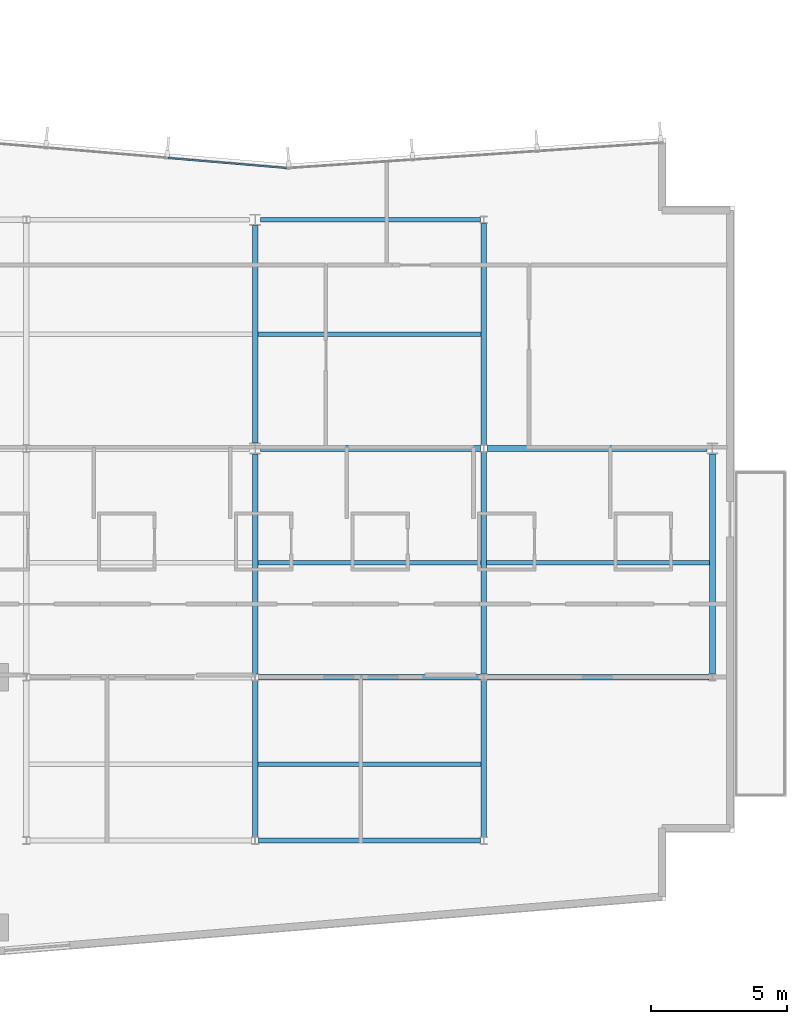
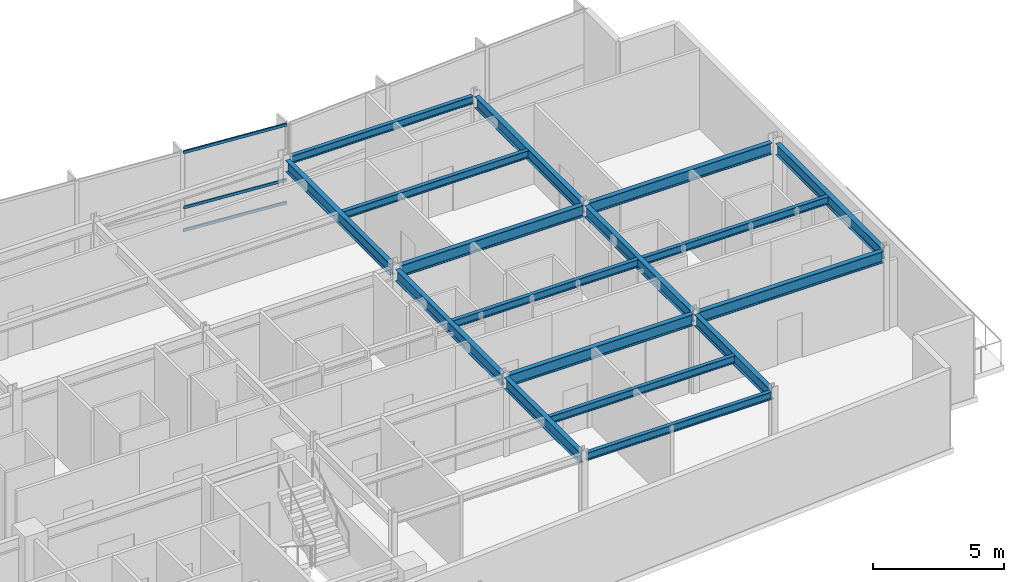
# One storey, part 6 of 15: 17 beams, 3 members, 1 element without a shape of its own.
"""IFC4 building model written with IfcOpenShell, lengths in metres."""

from ifc_helpers import new_model, si_unit, direction, frame, origin, origin_2d, place, context, subcontext, project, spatial, hollow_rectangle, i_section, extrude, material, layer, layer_set, material_profile, profile_set, type_object, element, aggregate, save


model = new_model("IFC4")

# Units and contexts
model_context = context("Model", 3, precision=1e-05, world=origin(), true_north=direction((0.0, 1.0)))
body_context = subcontext(model_context, "Body", "Model", "MODEL_VIEW")
ifc_project = project(units=[si_unit("LENGTHUNIT", "METRE"), si_unit("AREAUNIT", "SQUARE_METRE"), si_unit("VOLUMEUNIT", "CUBIC_METRE"), si_unit("PLANEANGLEUNIT", "RADIAN"), si_unit("MASSUNIT", "GRAM", prefix="KILO")], contexts=[model_context])

# Site, building, storey
site_placement = place(None, origin())
site = spatial("IfcSite", under=ifc_project, at=site_placement, CompositionType="ELEMENT")
building_placement = place(site_placement, origin())
building = spatial("IfcBuilding", under=site, at=building_placement, Name="Varnakote Quay Hospital", CompositionType="ELEMENT")
storey_placement = place(building_placement, frame((0.0, 0.0, 192.10009765625)))
storey = spatial("IfcBuildingStorey", under=building, at=storey_placement, Name="L47", CompositionType="ELEMENT", Elevation=192.10009765625)

# Beams
ifc_material_1 = material(Name="Structural steel AS/NZS 3679.1 Grade 350 L0 (fy 340 MPa)", Category="steel")
ifc_material_profile_1 = material_profile(ifc_material_1, i_section(OverallWidth=0.208984375, OverallDepth=0.532958984375, WebThickness=0.01025390625, FlangeThickness=0.015625, FilletRadius=0.013916015625, at=origin_2d()), Name="530UB92.4")
ifc_profile_set_1 = profile_set([ifc_material_profile_1], Name="Structural steel AS/NZS 3679.1 Grade 350 L0 (fy 340 MPa)")
beam_type_1 = type_object("IfcBeamType", Name="BM-STL-530UB92-4", PredefinedType="BEAM", material=ifc_profile_set_1)
for number, where, z_axis, x_axis, name in (
    (1, (33.72802734375, 12.0, 3.443359375), (1.0, 0.0, 0.0), (0.0, 1.0, 0.0), "L47 Primary Floor Beam"),
    (2, (42.1279296875, 12.0, 3.443359375), (1.0, 0.0, 0.0), (0.0, 1.0, 0.0), "L47 Primary Floor Beam"),
):
    element("IfcBeam", number, at=place(storey_placement, frame(where, z_axis=z_axis, x_axis=x_axis)), inside=storey, type_object=beam_type_1, Name=name, PredefinedType="BEAM", context=body_context, shape_type="SweptSolid", body=[
        extrude(i_section(OverallWidth=0.208984375, OverallDepth=0.532958984375, WebThickness=0.01025390625, FlangeThickness=0.015625, FilletRadius=0.013916015625, at=origin_2d()), origin(), (0.0, 0.0, 1.0), 8.14404296875),
    ])
for number, where, z_axis, x_axis, name in (
    (3, (33.800048828125, 20.39990234375, 3.443359375), (1.0, 0.0, 0.0), (0.0, 1.0, 0.0), "L47 Primary Floor Beam"),
    (4, (42.1279296875, 20.39990234375, 3.443359375), (1.0, 0.0, 0.0), (0.0, 1.0, 0.0), "L47 Primary Floor Beam"),
):
    element("IfcBeam", number, at=place(storey_placement, frame(where, z_axis=z_axis, x_axis=x_axis)), inside=storey, type_object=beam_type_1, Name=name, PredefinedType="BEAM", context=body_context, shape_type="SweptSolid", body=[
        extrude(i_section(OverallWidth=0.208984375, OverallDepth=0.532958984375, WebThickness=0.01025390625, FlangeThickness=0.015625, FilletRadius=0.013916015625, at=origin_2d()), origin(), (0.0, 0.0, 1.0), 8.072021484375),
    ])
beam_1_placement = place(storey_placement, frame((33.60009765625, 6.1298828125, 3.443359375), z_axis=(0.0, 1.0, 0.0), x_axis=(-1.0, 0.0, 0.0)))
element("IfcBeam", 5, at=beam_1_placement, inside=storey, type_object=beam_type_1, Name="L47 Primary Tie Beam", PredefinedType="BEAM", context=body_context, shape_type="SweptSolid", body=[
    extrude(i_section(OverallWidth=0.208984375, OverallDepth=0.532958984375, WebThickness=0.01025390625, FlangeThickness=0.015625, FilletRadius=0.013916015625, at=origin_2d()), origin(), (0.0, 0.0, 1.0), 5.740234375),
])
beam_2_placement = place(storey_placement, frame((33.60009765625, 12.1298828125, 3.443359375), z_axis=(0.0, 1.0, 0.0), x_axis=(-1.0, 0.0, 0.0)))
element("IfcBeam", 6, at=beam_2_placement, inside=storey, type_object=beam_type_1, Name="L47 Primary Tie Beam", PredefinedType="BEAM", context=body_context, shape_type="SweptSolid", body=[
    extrude(i_section(OverallWidth=0.208984375, OverallDepth=0.532958984375, WebThickness=0.01025390625, FlangeThickness=0.015625, FilletRadius=0.013916015625, at=origin_2d()), origin(), (0.0, 0.0, 1.0), 8.068115234375),
])
beam_3_placement = place(storey_placement, frame((33.60009765625, 20.60205078125, 3.443359375), z_axis=(0.0, 1.0, 0.0), x_axis=(-1.0, 0.0, 0.0)))
element("IfcBeam", 7, at=beam_3_placement, inside=storey, type_object=beam_type_1, Name="L47 Primary Tie Beam", PredefinedType="BEAM", context=body_context, shape_type="SweptSolid", body=[
    extrude(i_section(OverallWidth=0.208984375, OverallDepth=0.532958984375, WebThickness=0.01025390625, FlangeThickness=0.015625, FilletRadius=0.013916015625, at=origin_2d()), origin(), (0.0, 0.0, 1.0), 7.995849609375),
])
beam_4_placement = place(storey_placement, frame((42.0, 6.1298828125, 3.443359375), z_axis=(0.0, 1.0, 0.0), x_axis=(-1.0, 0.0, 0.0)))
element("IfcBeam", 8, at=beam_4_placement, inside=storey, type_object=beam_type_1, Name="L47 Primary Tie Beam", PredefinedType="BEAM", context=body_context, shape_type="SweptSolid", body=[
    extrude(i_section(OverallWidth=0.208984375, OverallDepth=0.532958984375, WebThickness=0.01025390625, FlangeThickness=0.015625, FilletRadius=0.013916015625, at=origin_2d()), origin(), (0.0, 0.0, 1.0), 5.740234375),
])
beam_5_placement = place(storey_placement, frame((42.0, 12.1298828125, 3.443359375), z_axis=(0.0, 1.0, 0.0), x_axis=(-1.0, 0.0, 0.0)))
element("IfcBeam", 9, at=beam_5_placement, inside=storey, type_object=beam_type_1, Name="L47 Primary Tie Beam", PredefinedType="BEAM", context=body_context, shape_type="SweptSolid", body=[
    extrude(i_section(OverallWidth=0.208984375, OverallDepth=0.532958984375, WebThickness=0.01025390625, FlangeThickness=0.015625, FilletRadius=0.013916015625, at=origin_2d()), origin(), (0.0, 0.0, 1.0), 8.14013671875),
])
beam_6_placement = place(storey_placement, frame((42.0, 20.530029296875, 3.443359375), z_axis=(0.0, 1.0, 0.0), x_axis=(-1.0, 0.0, 0.0)))
element("IfcBeam", 10, at=beam_6_placement, inside=storey, type_object=beam_type_1, Name="L47 Primary Tie Beam", PredefinedType="BEAM", context=body_context, shape_type="SweptSolid", body=[
    extrude(i_section(OverallWidth=0.208984375, OverallDepth=0.532958984375, WebThickness=0.01025390625, FlangeThickness=0.015625, FilletRadius=0.013916015625, at=origin_2d()), origin(), (0.0, 0.0, 1.0), 8.139892578125),
])
beam_7_placement = place(storey_placement, frame((50.39990234375, 12.1298828125, 3.443359375), z_axis=(0.0, 1.0, 0.0), x_axis=(-1.0, 0.0, 0.0)))
element("IfcBeam", 11, at=beam_7_placement, inside=storey, type_object=beam_type_1, Name="L47 Primary Tie Beam", PredefinedType="BEAM", context=body_context, shape_type="SweptSolid", body=[
    extrude(i_section(OverallWidth=0.208984375, OverallDepth=0.532958984375, WebThickness=0.01025390625, FlangeThickness=0.015625, FilletRadius=0.013916015625, at=origin_2d()), origin(), (0.0, 0.0, 1.0), 8.068115234375),
])

# Curtain wall, members
ifc_material_2 = material(Name="Anodised aluminium 6063-T6 Bronze", Category="aluminium")
ifc_layer = layer(ifc_material_2, 0.219970703125)
ifc_layer_set = layer_set([ifc_layer], Name="Anodised aluminium 6063-T6 Bronze")
curtain_wall_type = type_object("IfcCurtainWallType", Name="CW-SYS-4", PredefinedType="NOTDEFINED", material=ifc_layer_set)
curtain_wall_placement = place(storey_placement, origin())
curtain_wall = element("IfcCurtainWall", 12, at=curtain_wall_placement, inside=storey, type_object=curtain_wall_type, Name="L47 Unitised Bronze Curtain Wall 2", PredefinedType="NOTDEFINED")
ifc_material_3 = material(Name="Anodised aluminium 6063-T6 Bronze", Category="aluminium")
ifc_material_profile_2 = material_profile(ifc_material_3, hollow_rectangle(XDim=0.06494140625, YDim=0.139892578125, WallThickness=0.00390625, InnerFilletRadius=0.00390625, OuterFilletRadius=0.007568359375, at=origin_2d()), Name="CW-TRAN-140x65")
ifc_profile_set_2 = profile_set([ifc_material_profile_2], Name="Anodised aluminium 6063-T6 Bronze")
member_type = type_object("IfcMemberType", Name="CW-TRAN-140x65", PredefinedType="USERDEFINED", material=ifc_profile_set_2)
member_1_placement = place(storey_placement, frame((34.75, 30.700927734375, 0.032470703125), z_axis=(-0.996453440464, 0.084145950507, 0.0), x_axis=(-0.084145950507, -0.996453440464, 0.0)))
member_1 = element("IfcMember", 13, at=member_1_placement, type_object=member_type, Name="-4-L47-2 transom 1.1", ObjectType="TRANSOM", PredefinedType="USERDEFINED", context=body_context, shape_type="SweptSolid", body=[
    extrude(hollow_rectangle(XDim=0.06494140625, YDim=0.139892578125, WallThickness=0.00390625, InnerFilletRadius=0.00390625, OuterFilletRadius=0.007568359375, at=origin_2d()), origin(), (0.0, 0.0, 1.0), 4.369384765625),
])
member_2_placement = place(storey_placement, frame((34.75, 30.700927734375, 1.099853515625), z_axis=(-0.996453440464, 0.084145950507, 0.0), x_axis=(-0.084145950507, -0.996453440464, 0.0)))
member_2 = element("IfcMember", 14, at=member_2_placement, type_object=member_type, Name="-4-L47-2 transom 1.2", ObjectType="TRANSOM", PredefinedType="USERDEFINED", context=body_context, shape_type="SweptSolid", body=[
    extrude(hollow_rectangle(XDim=0.06494140625, YDim=0.139892578125, WallThickness=0.00390625, InnerFilletRadius=0.00390625, OuterFilletRadius=0.007568359375, at=origin_2d()), origin(), (0.0, 0.0, 1.0), 4.369384765625),
])
member_3_placement = place(storey_placement, frame((34.75, 30.700927734375, 3.677490234375), z_axis=(-0.996453440464, 0.084145950507, 0.0), x_axis=(-0.084145950507, -0.996453440464, 0.0)))
member_3 = element("IfcMember", 15, at=member_3_placement, type_object=member_type, Name="-4-L47-2 transom 1.3", ObjectType="TRANSOM", PredefinedType="USERDEFINED", context=body_context, shape_type="SweptSolid", body=[
    extrude(hollow_rectangle(XDim=0.06494140625, YDim=0.139892578125, WallThickness=0.00390625, InnerFilletRadius=0.00390625, OuterFilletRadius=0.007568359375, at=origin_2d()), origin(), (0.0, 0.0, 1.0), 4.369384765625),
])
aggregate(curtain_wall, [member_1, member_2, member_3])

# Beams
ifc_material_4 = material(Name="Structural steel AS/NZS 3679.1 Grade 350 L0 (fy 340 MPa)", Category="steel")
ifc_material_profile_3 = material_profile(ifc_material_4, i_section(OverallWidth=0.1708984375, OverallDepth=0.35595703125, WebThickness=0.00732421875, FlangeThickness=0.011474609375, FilletRadius=0.011474609375, at=origin_2d()), Name="360UB50.7")
ifc_profile_set_3 = profile_set([ifc_material_profile_3], Name="Structural steel AS/NZS 3679.1 Grade 350 L0 (fy 340 MPa)")
beam_type_2 = type_object("IfcBeamType", Name="JST-STL-360UB50-7", PredefinedType="JOIST", material=ifc_profile_set_3)
for number, where, z_axis, x_axis, name in (
    (16, (33.70458984375, 8.800048828125, 3.531982421875), (1.0, 0.0, 0.0), (0.0, 1.0, 0.0), "L47 Composite Floor Joist"),
    (17, (33.70458984375, 16.199951171875, 3.531982421875), (1.0, 0.0, 0.0), (0.0, 1.0, 0.0), "L47 Composite Floor Joist"),
    (18, (42.1044921875, 16.199951171875, 3.531982421875), (1.0, 0.0, 0.0), (0.0, 1.0, 0.0), "L47 Composite Floor Joist"),
    (19, (33.70458984375, 24.60009765625, 3.531982421875), (1.0, 0.0, 0.0), (0.0, 1.0, 0.0), "L47 Composite Floor Joist"),
):
    element("IfcBeam", number, at=place(storey_placement, frame(where, z_axis=z_axis, x_axis=x_axis)), inside=storey, type_object=beam_type_2, Name=name, PredefinedType="JOIST", context=body_context, shape_type="SweptSolid", body=[
        extrude(i_section(OverallWidth=0.1708984375, OverallDepth=0.35595703125, WebThickness=0.00732421875, FlangeThickness=0.011474609375, FilletRadius=0.011474609375, at=origin_2d()), origin(), (0.0, 0.0, 1.0), 8.19091796875),
    ])
ifc_material_5 = material(Name="Structural steel AS/NZS 3679.1 Grade 350 L0 (fy 340 MPa)", Category="steel")
ifc_material_profile_4 = material_profile(ifc_material_5, i_section(OverallWidth=0.172119140625, OverallDepth=0.35888671875, WebThickness=0.008056640625, FlangeThickness=0.012939453125, FilletRadius=0.011474609375, at=origin_2d()), Name="360UB56.7")
ifc_profile_set_4 = profile_set([ifc_material_profile_4], Name="Structural steel AS/NZS 3679.1 Grade 350 L0 (fy 340 MPa)")
beam_type_3 = type_object("IfcBeamType", Name="SPN-STL-360UB56-7", PredefinedType="SPANDREL", material=ifc_profile_set_4)
beam_8_placement = place(storey_placement, frame((33.72802734375, 6.0, 3.530517578125), z_axis=(1.0, 0.0, 0.0), x_axis=(0.0, 1.0, 0.0)))
element("IfcBeam", 20, at=beam_8_placement, inside=storey, type_object=beam_type_3, Name="L47 Perimeter Spandrel Beam", PredefinedType="SPANDREL", context=body_context, shape_type="SweptSolid", body=[
    extrude(i_section(OverallWidth=0.172119140625, OverallDepth=0.35888671875, WebThickness=0.008056640625, FlangeThickness=0.012939453125, FilletRadius=0.011474609375, at=origin_2d()), origin(), (0.0, 0.0, 1.0), 8.14404296875),
])
beam_9_placement = place(storey_placement, frame((33.800048828125, 28.800048828125, 3.530517578125), z_axis=(1.0, 0.0, 0.0), x_axis=(0.0, 1.0, 0.0)))
element("IfcBeam", 21, at=beam_9_placement, inside=storey, type_object=beam_type_3, Name="L47 Perimeter Spandrel Beam", PredefinedType="SPANDREL", context=body_context, shape_type="SweptSolid", body=[
    extrude(i_section(OverallWidth=0.172119140625, OverallDepth=0.35888671875, WebThickness=0.008056640625, FlangeThickness=0.012939453125, FilletRadius=0.011474609375, at=origin_2d()), origin(), (0.0, 0.0, 1.0), 8.072021484375),
])

save(model, "model.ifc")
